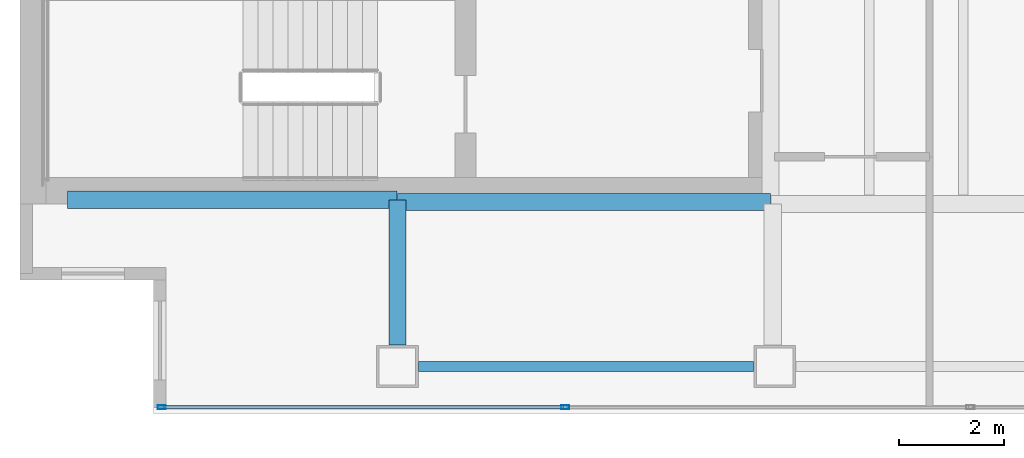
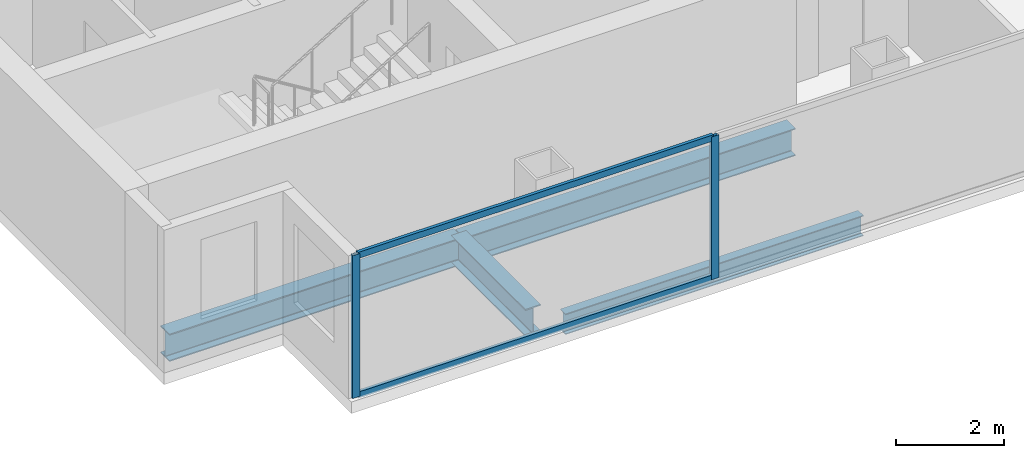
# One storey, part 2 of 23: 4 beams, 4 members, 1 element without a shape of its own.
"""IFC4 building model written with IfcOpenShell, lengths in metres."""

import ifcopenshell
import ifcopenshell.guid

model = None  # the IFC model being written
_history = None  # IfcOwnerHistory: only IFC2X3 demands one
_inside = {}  # id of a spatial element -> (the spatial element, [elements in it])
_under = {}  # id of a project, library or spatial element -> (it, [spatial elements below it])
_declared = {}  # id of a project -> (the project, [libraries it declares])
_typed = {}  # id of a type object -> (the type object, [elements of that type])
_made_of = {}  # id of a material, layer set ... -> (it, [elements and type objects made of it])


def new_model(schema):
    """Start an empty IFC model of exactly this schema.

    Asked for "IFC4X3", IfcOpenShell would pick the latest addendum, in which some entities
    have other attributes; the version numbers below select the first issue.
    IFC2X3 requires an IfcOwnerHistory on every rooted entity: one is made here for all.
    """
    global model, _history
    if schema == "IFC4X3":
        model = ifcopenshell.file(schema_version=(4, 3, 0, 0))
    else:
        model = ifcopenshell.file(schema=schema)
    _inside.clear()
    _under.clear()
    _declared.clear()
    _typed.clear()
    _made_of.clear()
    _history = None
    if model.schema == "IFC2X3":
        org = make("IfcOrganization", Name="unknown")
        user = make(
            "IfcPersonAndOrganization",
            ThePerson=make("IfcPerson", FamilyName="unknown"),
            TheOrganization=org,
        )
        app = make(
            "IfcApplication",
            ApplicationDeveloper=org,
            Version="unknown",
            ApplicationFullName="unknown",
            ApplicationIdentifier="unknown",
        )
        _history = make(
            "IfcOwnerHistory",
            OwningUser=user,
            OwningApplication=app,
            ChangeAction="ADDED",
            CreationDate=0,
        )
    return model


def make(cls, **values):
    """One entity of the class cls with the attributes given. An attribute that is None is left unset."""
    return model.create_entity(
        cls, **{name: value for name, value in values.items() if value is not None}
    )


def rooted(cls, **values):
    """An entity with a GlobalId (a new one), such as an element, a storey or a relation."""
    return make(cls, GlobalId=ifcopenshell.guid.new(), OwnerHistory=_history, **values)


def si_unit(unit_type, name, prefix=None):
    """IfcSIUnit, for example si_unit("LENGTHUNIT", "METRE", prefix="MILLI")."""
    return make("IfcSIUnit", UnitType=unit_type, Prefix=prefix, Name=name)


def assignment(units):
    """IfcUnitAssignment: the units of a project."""
    return None if units is None else make("IfcUnitAssignment", Units=units)


def point(xyz):
    """IfcCartesianPoint."""
    return None if xyz is None else make("IfcCartesianPoint", Coordinates=xyz)


def direction(xyz):
    """IfcDirection."""
    return None if xyz is None else make("IfcDirection", DirectionRatios=xyz)


def frame(location, z_axis=None, x_axis=None):
    """IfcAxis2Placement3D, a coordinate frame: its origin and axes. An axis left out is left unset."""
    return make(
        "IfcAxis2Placement3D",
        Location=point(location),
        Axis=direction(z_axis),
        RefDirection=direction(x_axis),
    )


def frame_2d(location, x_axis=None):
    """IfcAxis2Placement2D, a coordinate frame in the plane: its origin and x axis."""
    return make(
        "IfcAxis2Placement2D", Location=point(location), RefDirection=direction(x_axis)
    )


def origin():
    """The frame at (0, 0, 0) with its axes left unset."""
    return frame((0.0, 0.0, 0.0))


def origin_2d():
    """The frame at (0, 0) in the plane with its x axis left unset."""
    return frame_2d((0.0, 0.0))


def place(relative_to, where):
    """IfcLocalPlacement: puts the frame where relative to a parent placement (None: the world)."""
    return make(
        "IfcLocalPlacement", PlacementRelTo=relative_to, RelativePlacement=where
    )


def context(
    kind, dimensions, precision=None, world=None, true_north=None, identifier=None
):
    """IfcGeometricRepresentationContext, for example the 3D "Model" context."""
    return make(
        "IfcGeometricRepresentationContext",
        ContextIdentifier=identifier,
        ContextType=kind,
        CoordinateSpaceDimension=dimensions,
        Precision=precision,
        WorldCoordinateSystem=world,
        TrueNorth=true_north,
    )


def subcontext(parent, identifier, kind, view, scale=None):
    """IfcGeometricRepresentationSubContext, for example "Body" below "Model"."""
    return make(
        "IfcGeometricRepresentationSubContext",
        ContextIdentifier=identifier,
        ContextType=kind,
        ParentContext=parent,
        TargetScale=scale,
        TargetView=view,
    )


def project(units=None, contexts=None):
    """IfcProject with its units and contexts."""
    return rooted(
        "IfcProject",
        Name="project",
        RepresentationContexts=contexts,
        UnitsInContext=assignment(units),
    )


def spatial(cls, under=None, at=None, **own):
    """A site, building, storey or space (cls), placed at a placement, below another one or the project."""
    s = rooted(cls, ObjectPlacement=at, **own)
    if under is not None:
        _under.setdefault(under.id(), (under, []))[1].append(s)
    return s


def profile(cls, at=None, kind="AREA", **sizes):
    """A parametric profile (cls). Its sizes go by their IFC names, for example OverallWidth=200.0."""
    return make(cls, ProfileType=kind, Position=at, **sizes)


def hollow_rectangle(**sizes):
    """IfcRectangleHollowProfileDef."""
    return profile("IfcRectangleHollowProfileDef", **sizes)


def i_section(**sizes):
    """IfcIShapeProfileDef."""
    return profile("IfcIShapeProfileDef", **sizes)


def extrude(swept, where, along, depth):
    """IfcExtrudedAreaSolid: the profile swept, set in the frame where, extruded along a direction by depth."""
    return make(
        "IfcExtrudedAreaSolid",
        SweptArea=swept,
        Position=where,
        ExtrudedDirection=direction(along),
        Depth=depth,
    )


def shape(context_of_items, identifier, shape_type, items):
    """IfcShapeRepresentation: the items that make up one representation, for example the "Body"."""
    return make(
        "IfcShapeRepresentation",
        ContextOfItems=context_of_items,
        RepresentationIdentifier=identifier,
        RepresentationType=shape_type,
        Items=items,
    )


def material(Name=None, Category=None):
    """IfcMaterial."""
    return make("IfcMaterial", Name=Name, Category=Category)


def material_profile(
    of_material, cross_section, Name=None, Category=None, Priority=None
):
    """IfcMaterialProfile: a cross section and its material."""
    return make(
        "IfcMaterialProfile",
        Name=Name,
        Material=of_material,
        Profile=cross_section,
        Priority=Priority,
        Category=Category,
    )


def profile_set(profiles, Name=None, composite=None):
    """IfcMaterialProfileSet."""
    return make(
        "IfcMaterialProfileSet",
        Name=Name,
        MaterialProfiles=profiles,
        CompositeProfile=composite,
    )


def made_of(thing, what):
    """Note that an element or type object is made of a material, layer set ...; save() writes the relation."""
    if what is not None:
        _made_of.setdefault(what.id(), (what, []))[1].append(thing)
    return thing


def type_object(cls, material=None, **own):
    """A type object (cls), such as IfcWallType, which elements share."""
    return made_of(rooted(cls, **own), material)


def element(
    cls,
    number,
    at=None,
    inside=None,
    cuts=None,
    type_object=None,
    material=None,
    context=None,
    identifier="Body",
    shape_type=None,
    held_by="IfcProductDefinitionShape",
    body=None,
    shapes=None,
    **own,
):
    """One element of the class cls, such as IfcWall. Its Tag is "e" and its number.

    at: its placement. inside: the storey or other place that contains it. cuts: it is an
    opening in that element (IfcRelVoidsElement). A single representation is given by context,
    identifier, shape_type and body (its items); several are given by shapes. held_by: the class
    of the entity that holds the representations. save() writes the other relations.
    """
    e = rooted(cls, Tag="e%d" % number, ObjectPlacement=at, **own)
    if body is not None:
        shapes = [shape(context, identifier, shape_type, body)]
    if shapes is not None:
        e.Representation = make(held_by, Representations=shapes)
    if inside is not None:
        _inside.setdefault(inside.id(), (inside, []))[1].append(e)
    if cuts is not None:
        rooted(
            "IfcRelVoidsElement", RelatingBuildingElement=cuts, RelatedOpeningElement=e
        )
    if type_object is not None:
        _typed.setdefault(type_object.id(), (type_object, []))[1].append(e)
    return made_of(e, material)


def aggregate(whole, parts):
    """IfcRelAggregates: a whole, such as a stair, and the parts it consists of."""
    return rooted("IfcRelAggregates", RelatingObject=whole, RelatedObjects=parts)


def save(model, path):
    """Write the relations noted so far, then the file.

    IfcRelAggregates (storeys below a building ...), IfcRelContainedInSpatialStructure (elements
    in a storey), IfcRelDefinesByType, IfcRelAssociatesMaterial and IfcRelDeclares: one each for
    every whole, place, type object, material and project.
    """
    for whole, parts in _under.values():
        aggregate(whole, parts)
    for where, things in _inside.values():
        rooted(
            "IfcRelContainedInSpatialStructure",
            RelatedElements=things,
            RelatingStructure=where,
        )
    for kind, things in _typed.values():
        rooted("IfcRelDefinesByType", RelatedObjects=things, RelatingType=kind)
    for what, things in _made_of.values():
        rooted("IfcRelAssociatesMaterial", RelatedObjects=things, RelatingMaterial=what)
    for by, libraries in _declared.values():
        rooted("IfcRelDeclares", RelatingContext=by, RelatedDefinitions=libraries)
    model.write(path)


model = new_model("IFC4")

# Units and contexts
model_context = context("Model", 3, precision=1e-05, world=origin(), true_north=direction((0.0, 1.0)))
body_context = subcontext(model_context, "Body", "Model", "MODEL_VIEW")
ifc_project = project(units=[si_unit("LENGTHUNIT", "METRE"), si_unit("AREAUNIT", "SQUARE_METRE"), si_unit("VOLUMEUNIT", "CUBIC_METRE"), si_unit("PLANEANGLEUNIT", "RADIAN"), si_unit("MASSUNIT", "GRAM", prefix="KILO")], contexts=[model_context])

# Site, building, storey
site_placement = place(None, origin())
site = spatial("IfcSite", under=ifc_project, at=site_placement, CompositionType="ELEMENT")
building_placement = place(site_placement, origin())
building = spatial("IfcBuilding", under=site, at=building_placement, Name="Cobrela Telecom Tower", CompositionType="ELEMENT")
storey_placement = place(building_placement, frame((0.0, 0.0, 190.75)))
storey = spatial("IfcBuildingStorey", under=building, at=storey_placement, Name="L48", CompositionType="ELEMENT", Elevation=190.75)

# Beams
ifc_material_1 = material(Name="Steel ASTM A992 Grade 50", Category="steel")
ifc_material_profile_1 = material_profile(ifc_material_1, i_section(OverallWidth=0.327880859375, OverallDepth=0.6220703125, WebThickness=0.015380859375, FlangeThickness=0.0244140625, FilletRadius=0.014892578125, at=origin_2d()), Name="W24X131")
ifc_profile_set_1 = profile_set([ifc_material_profile_1], Name="Steel ASTM A992 Grade 50")
beam_type_1 = type_object("IfcBeamType", Name="BM-GIRD-06", PredefinedType="USERDEFINED", material=ifc_profile_set_1)
beam_1_placement = place(storey_placement, frame((0.905029296875, 7.280029296875, -0.571044921875), z_axis=(1.0, 0.0, 0.0), x_axis=(0.0, 1.0, 0.0)))
element("IfcBeam", 1, at=beam_1_placement, inside=storey, type_object=beam_type_1, Name="L48 Primary Girder X05", ObjectType="GIRDER", PredefinedType="USERDEFINED", context=body_context, shape_type="SweptSolid", body=[
    extrude(i_section(OverallWidth=0.327880859375, OverallDepth=0.6220703125, WebThickness=0.015380859375, FlangeThickness=0.0244140625, FilletRadius=0.014892578125, at=origin_2d()), origin(), (0.0, 0.0, 1.0), 6.2900390625),
])
beam_2_placement = place(storey_placement, frame((7.205078125, 7.239990234375, -0.571044921875), z_axis=(1.0, 0.0, 0.0), x_axis=(0.0, 1.0, 0.0)))
element("IfcBeam", 2, at=beam_2_placement, inside=storey, type_object=beam_type_1, Name="L48 Primary Girder X06", ObjectType="GIRDER", PredefinedType="USERDEFINED", context=body_context, shape_type="SweptSolid", body=[
    extrude(i_section(OverallWidth=0.327880859375, OverallDepth=0.6220703125, WebThickness=0.015380859375, FlangeThickness=0.0244140625, FilletRadius=0.014892578125, at=origin_2d()), origin(), (0.0, 0.0, 1.0), 7.10986328125),
])
beam_3_placement = place(storey_placement, frame((7.199951171875, 4.5048828125, -0.571044921875), z_axis=(0.0, 1.0, 0.0), x_axis=(-1.0, 0.0, 0.0)))
element("IfcBeam", 3, at=beam_3_placement, inside=storey, type_object=beam_type_1, Name="L48 Primary Girder Y24", ObjectType="GIRDER", PredefinedType="USERDEFINED", context=body_context, shape_type="SweptSolid", body=[
    extrude(i_section(OverallWidth=0.327880859375, OverallDepth=0.6220703125, WebThickness=0.015380859375, FlangeThickness=0.0244140625, FilletRadius=0.014892578125, at=origin_2d()), origin(), (0.0, 0.0, 1.0), 2.77001953125),
])
ifc_material_profile_2 = material_profile(ifc_material_1, i_section(OverallWidth=0.193115234375, OverallDepth=0.467041015625, WebThickness=0.011474609375, FlangeThickness=0.01904296875, FilletRadius=0.012939453125, at=origin_2d()), Name="W18X65")
ifc_profile_set_2 = profile_set([ifc_material_profile_2], Name="Steel ASTM A992 Grade 50")
beam_type_2 = type_object("IfcBeamType", Name="BM-SPAND-05", PredefinedType="SPANDREL", material=ifc_profile_set_2)
beam_4_placement = place(storey_placement, frame((7.60498046875, 4.10009765625, -0.493408203125), z_axis=(1.0, 0.0, 0.0), x_axis=(0.0, 1.0, 0.0)))
element("IfcBeam", 4, at=beam_4_placement, inside=storey, type_object=beam_type_2, Name="L48 Perimeter Spandrel X01", PredefinedType="SPANDREL", context=body_context, shape_type="SweptSolid", body=[
    extrude(i_section(OverallWidth=0.193115234375, OverallDepth=0.467041015625, WebThickness=0.011474609375, FlangeThickness=0.01904296875, FilletRadius=0.012939453125, at=origin_2d()), origin(), (0.0, 0.0, 1.0), 6.39013671875),
])

# Curtain wall, members
ifc_material_2 = material(Name="Anodized Bronze Aluminium 6063-T6", Category="aluminium")
curtain_wall_type = type_object("IfcCurtainWallType", Name="CW-SYS-OFF-LO", PredefinedType="USERDEFINED", material=ifc_material_2)
curtain_wall_placement = place(storey_placement, origin())
curtain_wall = element("IfcCurtainWall", 5, at=curtain_wall_placement, inside=storey, type_object=curtain_wall_type, Name="L48 Unitised Bronze Curtain Wall 17", ObjectType="UNITISED CURTAIN WALL", PredefinedType="USERDEFINED")
ifc_material_profile_3 = material_profile(ifc_material_2, hollow_rectangle(XDim=0.070068359375, YDim=0.159912109375, WallThickness=0.00390625, at=origin_2d()), Name="ALU 70x160x4")
ifc_profile_set_3 = profile_set([ifc_material_profile_3], Name="Anodized Bronze Aluminium 6063-T6")
member_type_1 = type_object("IfcMemberType", Name="CW-SYS-OFF-LO-MUL", PredefinedType="MULLION", material=ifc_profile_set_3)
member_1_placement = place(storey_placement, frame((10.402099609375, 3.320068359375, 0.0), z_axis=(0.0, 0.0, 1.0), x_axis=(0.0, -1.0, 0.0)))
member_1 = element("IfcMember", 6, at=member_1_placement, type_object=member_type_1, Name="CW-OFF-LO mullion 5", PredefinedType="MULLION", context=body_context, shape_type="SweptSolid", body=[
    extrude(hollow_rectangle(XDim=0.070068359375, YDim=0.159912109375, WallThickness=0.00390625, at=origin_2d()), origin(), (0.0, 0.0, 1.0), 3.239990234375),
])
member_2_placement = place(storey_placement, frame((2.705078125, 3.320068359375, 0.0), z_axis=(0.0, 0.0, 1.0), x_axis=(0.0, -1.0, 0.0)))
member_2 = element("IfcMember", 7, at=member_2_placement, type_object=member_type_1, Name="CW-OFF-LO mullion 6", PredefinedType="MULLION", context=body_context, shape_type="SweptSolid", body=[
    extrude(hollow_rectangle(XDim=0.070068359375, YDim=0.159912109375, WallThickness=0.00390625, at=origin_2d()), origin(), (0.0, 0.0, 1.0), 3.239990234375),
])
ifc_material_profile_4 = material_profile(ifc_material_2, hollow_rectangle(XDim=0.070068359375, YDim=0.139892578125, WallThickness=0.00390625, at=origin_2d()), Name="ALU 70x140x4")
ifc_profile_set_4 = profile_set([ifc_material_profile_4], Name="Anodized Bronze Aluminium 6063-T6")
member_type_2 = type_object("IfcMemberType", Name="CW-SYS-OFF-LO-TRN", PredefinedType="USERDEFINED", material=ifc_profile_set_4)
member_3_placement = place(storey_placement, frame((10.366943359375, 3.320068359375, 0.034912109375), z_axis=(-1.0, 0.0, 0.0), x_axis=(0.0, -1.0, 0.0)))
member_3 = element("IfcMember", 8, at=member_3_placement, type_object=member_type_2, Name="CW-OFF-LO transom 5.1", ObjectType="TRANSOM", PredefinedType="USERDEFINED", context=body_context, shape_type="SweptSolid", body=[
    extrude(hollow_rectangle(XDim=0.070068359375, YDim=0.139892578125, WallThickness=0.00390625, at=origin_2d()), origin(), (0.0, 0.0, 1.0), 7.626953125),
])
member_4_placement = place(storey_placement, frame((10.366943359375, 3.320068359375, 3.205078125), z_axis=(-1.0, 0.0, 0.0), x_axis=(0.0, -1.0, 0.0)))
member_4 = element("IfcMember", 9, at=member_4_placement, type_object=member_type_2, Name="CW-OFF-LO transom 5.2", ObjectType="TRANSOM", PredefinedType="USERDEFINED", context=body_context, shape_type="SweptSolid", body=[
    extrude(hollow_rectangle(XDim=0.070068359375, YDim=0.139892578125, WallThickness=0.00390625, at=origin_2d()), origin(), (0.0, 0.0, 1.0), 7.626953125),
])
aggregate(curtain_wall, [member_1, member_2, member_3, member_4])

save(model, "model.ifc")
